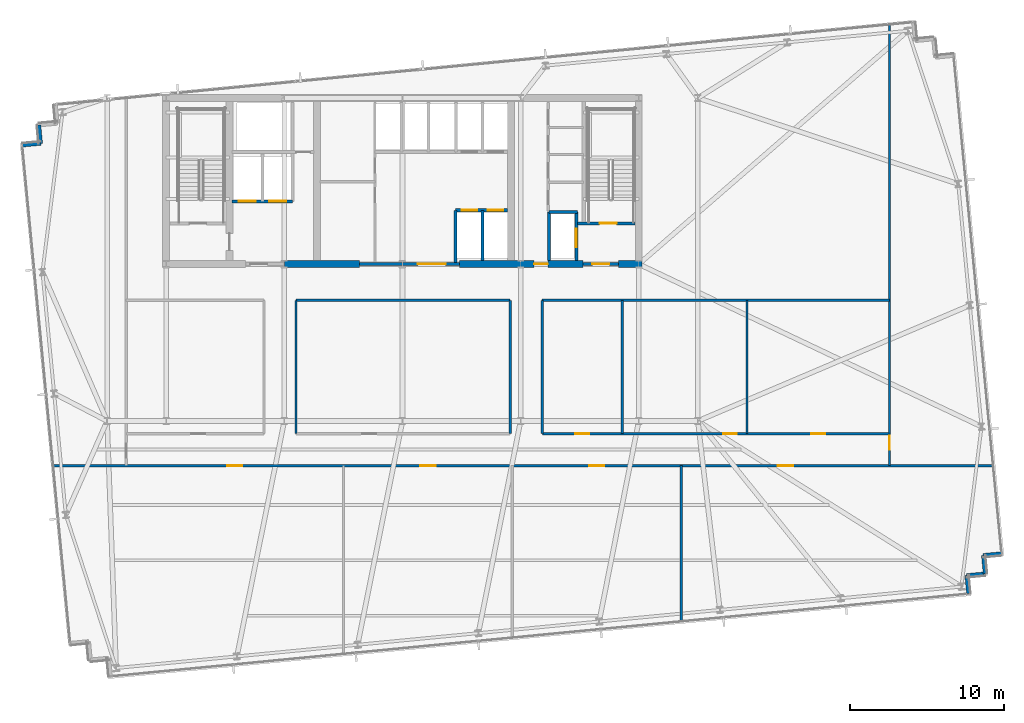
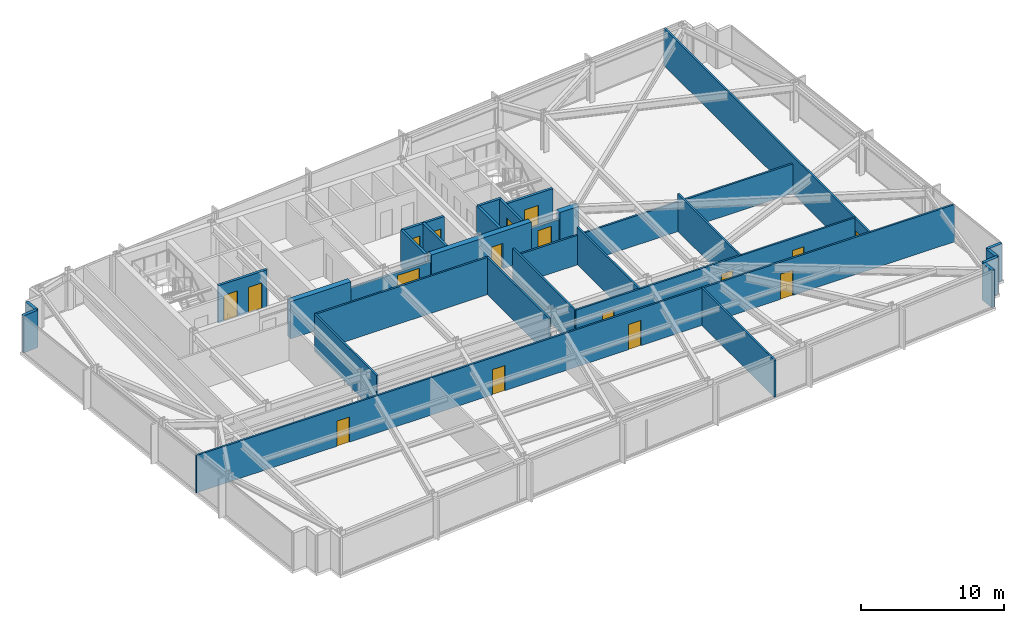
# One storey, part 25 of 32: 30 walls, 17 doors, 17 openings.
"""IFC4 building model written with IfcOpenShell, lengths in metres."""

from ifc_helpers import new_model, si_unit, direction, frame, frame_2d, origin, place, context, subcontext, project, spatial, rectangle, extrude, material, layer, layer_set, type_object, element, fill, save


model = new_model("IFC4")

# Units and contexts
model_context = context("Model", 3, precision=1e-05, world=origin(), true_north=direction((0.0, 1.0)))
body_context = subcontext(model_context, "Body", "Model", "MODEL_VIEW")
ifc_project = project(units=[si_unit("LENGTHUNIT", "METRE"), si_unit("AREAUNIT", "SQUARE_METRE"), si_unit("VOLUMEUNIT", "CUBIC_METRE"), si_unit("PLANEANGLEUNIT", "RADIAN"), si_unit("MASSUNIT", "GRAM", prefix="KILO")], contexts=[model_context])

# Site, building, storey
site_placement = place(None, origin())
site = spatial("IfcSite", under=ifc_project, at=site_placement, CompositionType="ELEMENT")
building_placement = place(site_placement, origin())
building = spatial("IfcBuilding", under=site, at=building_placement, Name="Yelkora Congress Tower", CompositionType="ELEMENT")
storey_placement = place(building_placement, frame((0.0, 0.0, 99.89990234375)))
storey = spatial("IfcBuildingStorey", under=building, at=storey_placement, Name="L26", CompositionType="ELEMENT", Elevation=99.89990234375)

# Wall
ifc_material_1 = material(Name="Concrete C60/75", Category="concrete")
ifc_layer_1 = layer(ifc_material_1, 0.449951171875)
ifc_layer_set_1 = layer_set([ifc_layer_1], Name="Concrete C60/75")
wall_type_1 = type_object("IfcWallType", Name="WALL-CORE-INT-450", PredefinedType="SHEAR", material=ifc_layer_set_1)
wall_1_placement = place(storey_placement, frame((30.719970703125, 35.39990234375, 0.0), z_axis=(0.0, 0.0, 1.0), x_axis=(1.0, 0.0, 0.0)))
element("IfcWall", 1, at=wall_1_placement, inside=storey, type_object=wall_type_1, Name="L26 Rear Core South-Center Shear Pier", PredefinedType="SHEAR", context=body_context, shape_type="SweptSolid", body=[
    extrude(rectangle(XDim=4.880126953125, YDim=0.449951171875, at=frame_2d((2.43994140625, 0.0))), origin(), (0.0, 0.0, 1.0), 3.18017578125),
])

# Wall, opening, door
wall_2_placement = place(storey_placement, frame((42.10009765625, 35.39990234375, 0.0), z_axis=(0.0, 0.0, 1.0), x_axis=(1.0, 0.0, 0.0)))
wall_2 = element("IfcWall", 2, at=wall_2_placement, inside=storey, type_object=wall_type_1, Name="L26 Rear Core South-East Shear Wall A", PredefinedType="SHEAR", context=body_context, shape_type="SweptSolid", body=[
    extrude(rectangle(XDim=8.0498046875, YDim=0.449951171875, at=frame_2d((4.02490234375, 0.0))), origin(), (0.0, 0.0, 1.0), 3.18017578125),
])
opening_1_placement = place(wall_2_placement, frame((4.85009765625, 0.0, 0.0)))
opening_1 = element("IfcOpeningElement", 3, at=opening_1_placement, cuts=wall_2, Name="Opening DR-090F6", PredefinedType="OPENING", context=body_context, shape_type="SweptSolid", body=[
    extrude(rectangle(XDim=0.89990234375, YDim=2.14990234375, at=frame_2d((0.449951171875, 1.074951171875))), frame((0.0, 0.23486328125, 0.0), z_axis=(0.0, -1.0, 0.0), x_axis=(1.0, 0.0, 0.0)), (0.0, 0.0, 1.0), 0.469970703125),
])
ifc_material_2 = material(Name="Painted steel riser fire door leaf", Category="steel")
door_type_1 = type_object("IfcDoorType", Name="DOOR-FD60-900", OperationType="NOTDEFINED", PredefinedType="DOOR", material=ifc_material_2)
door_1_placement = place(opening_1_placement, origin())
door_1 = element("IfcDoor", 4, at=door_1_placement, inside=storey, type_object=door_type_1, Name="L26 Core Washroom Lobby Door", OperationType="SINGLE_SWING_RIGHT", OverallHeight=2.14990234375, OverallWidth=0.89990234375, PredefinedType="DOOR", context=body_context, shape_type="SweptSolid", body=[
    extrude(rectangle(XDim=0.89990234375, YDim=2.14990234375, at=frame_2d((0.449951171875, 1.074951171875))), frame((0.0, 0.02490234375, 0.0), z_axis=(0.0, -1.0, 0.0), x_axis=(1.0, 0.0, 0.0)), (0.0, 0.0, 1.0), 0.050048828125),
])
fill(opening_1, door_1)

# Walls
wall_3_placement = place(storey_placement, frame((52.449951171875, 35.39990234375, 0.0), z_axis=(0.0, 0.0, 1.0), x_axis=(1.0, 0.0, 0.0)))
element("IfcWall", 5, at=wall_3_placement, inside=storey, type_object=wall_type_1, Name="L26 Rear Core South-East Shear Wall B", PredefinedType="SHEAR", context=body_context, shape_type="SweptSolid", body=[
    extrude(rectangle(XDim=1.53515625, YDim=0.449951171875, at=frame_2d((0.767578125, 0.0))), origin(), (0.0, 0.0, 1.0), 3.18017578125),
])
ifc_material_3 = material(Name="Concrete C40/50", Category="concrete")
ifc_layer_2 = layer(ifc_material_3, 0.239990234375)
ifc_layer_set_2 = layer_set([ifc_layer_2], Name="Concrete C40/50")
wall_type_2 = type_object("IfcWallType", Name="WALL-EXT-LIMESTONE-240", PredefinedType="SOLIDWALL", material=ifc_layer_set_2)
for number, where, z_axis, x_axis, name in (
    (6, (13.69091796875, 43.126708984375, 0.0), (0.0, 0.0, 1.0), (0.995398960025, 0.095817067274, 0.0), "L26 Serrated Corner Limestone Pier 6"),
    (7, (14.885498046875, 43.24169921875, 0.0), (0.0, 0.0, 1.0), (-0.095817067274, 0.995398960025, 0.0), "L26 Serrated Corner Limestone Pier 7"),
):
    element("IfcWall", number, at=place(storey_placement, frame(where, z_axis=z_axis, x_axis=x_axis)), inside=storey, type_object=wall_type_2, Name=name, PredefinedType="SOLIDWALL", context=body_context, shape_type="SweptSolid", body=[
        extrude(rectangle(XDim=1.2001953125, YDim=0.239990234375, at=frame_2d((0.60009765625, 0.0))), origin(), (0.0, 0.0, 1.0), 3.18017578125),
    ])
wall_4_placement = place(storey_placement, frame((77.34765625, 16.585693359375, 0.0), z_axis=(0.0, 0.0, 1.0), x_axis=(-0.995397091755, -0.095836473879, 0.0)))
element("IfcWall", 8, at=wall_4_placement, inside=storey, type_object=wall_type_2, Name="L26 Serrated Corner Limestone Pier 16", PredefinedType="SOLIDWALL", context=body_context, shape_type="SweptSolid", body=[
    extrude(rectangle(XDim=1.199951171875, YDim=0.239990234375, at=frame_2d((0.60009765625, 0.0))), origin(), (0.0, 0.0, 1.0), 3.18017578125),
])
for number, where, z_axis, x_axis, name in (
    (9, (76.1533203125, 16.470703125, 0.0), (0.0, 0.0, 1.0), (0.095817067274, -0.995398960025, 0.0), "L26 Serrated Corner Limestone Pier 17"),
    (10, (76.268310546875, 15.276123046875, 0.0), (0.0, 0.0, 1.0), (-0.995398960025, -0.095817067274, 0.0), "L26 Serrated Corner Limestone Pier 18"),
):
    element("IfcWall", number, at=place(storey_placement, frame(where, z_axis=z_axis, x_axis=x_axis)), inside=storey, type_object=wall_type_2, Name=name, PredefinedType="SOLIDWALL", context=body_context, shape_type="SweptSolid", body=[
        extrude(rectangle(XDim=1.2001953125, YDim=0.239990234375, at=frame_2d((0.60009765625, 0.0))), origin(), (0.0, 0.0, 1.0), 3.18017578125),
    ])
wall_5_placement = place(storey_placement, frame((75.07373046875, 15.1611328125, 0.0), z_axis=(0.0, 0.0, 1.0), x_axis=(0.095836473879, -0.995397091755, 0.0)))
element("IfcWall", 11, at=wall_5_placement, inside=storey, type_object=wall_type_2, Name="L26 Serrated Corner Limestone Pier 19", PredefinedType="SOLIDWALL", context=body_context, shape_type="SweptSolid", body=[
    extrude(rectangle(XDim=1.199951171875, YDim=0.239990234375, at=frame_2d((0.60009765625, 0.0))), origin(), (0.0, 0.0, 1.0), 3.18017578125),
])
ifc_material_4 = material(Name="Acoustic metal-stud gypsum partition", Category="gypsum")
ifc_layer_3 = layer(ifc_material_4, 0.14990234375)
ifc_layer_set_3 = layer_set([ifc_layer_3], Name="Acoustic metal-stud gypsum partition")
wall_type_3 = type_object("IfcWallType", Name="WALL-INT-150-NR", PredefinedType="PARTITIONING", material=ifc_layer_set_3)
wall_6_placement = place(storey_placement, frame((56.512939453125, 12.108154296875, 0.0), z_axis=(0.0, 0.0, 1.0), x_axis=(0.0, 1.0, 0.0)))
element("IfcWall", 12, at=wall_6_placement, inside=storey, type_object=wall_type_3, Name="L26 Partition Wall 30", PredefinedType="PARTITIONING", context=body_context, shape_type="SweptSolid", body=[
    extrude(rectangle(XDim=10.2119140625, YDim=0.14990234375, at=frame_2d((5.10595703125, 0.0))), origin(), (0.0, 0.0, 1.0), 3.18017578125),
])

# Wall, openings, doors
wall_7_placement = place(storey_placement, frame((15.635986328125, 22.300048828125, 0.0), z_axis=(0.0, 0.0, 1.0), x_axis=(1.0, 0.0, 0.0)))
wall_7 = element("IfcWall", 13, at=wall_7_placement, inside=storey, type_object=wall_type_3, Name="L26 South Spine Wall", PredefinedType="PARTITIONING", context=body_context, shape_type="SweptSolid", body=[
    extrude(rectangle(XDim=61.221923828125, YDim=0.14990234375, at=frame_2d((30.61083984375, 0.0))), origin(), (0.0, 0.0, 1.0), 3.18017578125),
])
opening_2_placement = place(wall_7_placement, frame((11.364990234375, 0.0, 0.0)))
opening_2 = element("IfcOpeningElement", 14, at=opening_2_placement, cuts=wall_7, Name="Opening DR-100N", PredefinedType="OPENING", context=body_context, shape_type="SweptSolid", body=[
    extrude(rectangle(XDim=1.0, YDim=2.14990234375, at=frame_2d((0.5, 1.074951171875))), frame((0.0, 0.0849609375, 0.0), z_axis=(0.0, -1.0, 0.0), x_axis=(1.0, 0.0, 0.0)), (0.0, 0.0, 1.0), 0.169921875),
])
opening_3_placement = place(wall_7_placement, frame((23.91650390625, 0.0, 0.0)))
opening_3 = element("IfcOpeningElement", 15, at=opening_3_placement, cuts=wall_7, Name="Opening DR-100N", PredefinedType="OPENING", context=body_context, shape_type="SweptSolid", body=[
    extrude(rectangle(XDim=1.0, YDim=2.14990234375, at=frame_2d((0.5, 1.074951171875))), frame((0.0, 0.0849609375, 0.0), z_axis=(0.0, -1.0, 0.0), x_axis=(1.0, 0.0, 0.0)), (0.0, 0.0, 1.0), 0.169921875),
])
opening_4_placement = place(wall_7_placement, frame((34.89013671875, 0.0, 0.0)))
opening_4 = element("IfcOpeningElement", 16, at=opening_4_placement, cuts=wall_7, Name="Opening DR-100N", PredefinedType="OPENING", context=body_context, shape_type="SweptSolid", body=[
    extrude(rectangle(XDim=1.0, YDim=2.14990234375, at=frame_2d((0.5, 1.074951171875))), frame((0.0, 0.0849609375, 0.0), z_axis=(0.0, -1.0, 0.0), x_axis=(1.0, 0.0, 0.0)), (0.0, 0.0, 1.0), 0.169921875),
])
opening_5_placement = place(wall_7_placement, frame((47.149658203125, 0.0, 0.0)))
opening_5 = element("IfcOpeningElement", 17, at=opening_5_placement, cuts=wall_7, Name="Opening DR-100N", PredefinedType="OPENING", context=body_context, shape_type="SweptSolid", body=[
    extrude(rectangle(XDim=1.0, YDim=2.14990234375, at=frame_2d((0.5, 1.074951171875))), frame((0.0, 0.0849609375, 0.0), z_axis=(0.0, -1.0, 0.0), x_axis=(1.0, 0.0, 0.0)), (0.0, 0.0, 1.0), 0.169921875),
])
ifc_material_5 = material(Name="Solid-core Anatolian oak veneer door", Category="wood")
door_type_2 = type_object("IfcDoorType", Name="DOOR-INT-1000", OperationType="NOTDEFINED", PredefinedType="DOOR", material=ifc_material_5)
door_2_placement = place(opening_2_placement, origin())
door_2 = element("IfcDoor", 18, at=door_2_placement, inside=storey, type_object=door_type_2, Name="L26 Meeting Suite Door", OperationType="SINGLE_SWING_RIGHT", OverallHeight=2.14990234375, OverallWidth=1.0, PredefinedType="DOOR", context=body_context, shape_type="SweptSolid", body=[
    extrude(rectangle(XDim=1.0, YDim=2.14990234375, at=frame_2d((0.5, 1.074951171875))), frame((0.0, 0.02490234375, 0.0), z_axis=(0.0, -1.0, 0.0), x_axis=(1.0, 0.0, 0.0)), (0.0, 0.0, 1.0), 0.050048828125),
])
fill(opening_2, door_2)
door_3_placement = place(opening_3_placement, origin())
door_3 = element("IfcDoor", 19, at=door_3_placement, inside=storey, type_object=door_type_2, Name="L26 Delegate Library Lounge Door", OperationType="SINGLE_SWING_LEFT", OverallHeight=2.14990234375, OverallWidth=1.0, PredefinedType="DOOR", context=body_context, shape_type="SweptSolid", body=[
    extrude(rectangle(XDim=1.0, YDim=2.14990234375, at=frame_2d((0.5, 1.074951171875))), frame((0.0, 0.02490234375, 0.0), z_axis=(0.0, -1.0, 0.0), x_axis=(1.0, 0.0, 0.0)), (0.0, 0.0, 1.0), 0.050048828125),
])
fill(opening_3, door_3)
door_4_placement = place(opening_4_placement, origin())
door_4 = element("IfcDoor", 20, at=door_4_placement, inside=storey, type_object=door_type_2, Name="L26 Pantry & Servery Door", OperationType="SINGLE_SWING_RIGHT", OverallHeight=2.14990234375, OverallWidth=1.0, PredefinedType="DOOR", context=body_context, shape_type="SweptSolid", body=[
    extrude(rectangle(XDim=1.0, YDim=2.14990234375, at=frame_2d((0.5, 1.074951171875))), frame((0.0, 0.02490234375, 0.0), z_axis=(0.0, -1.0, 0.0), x_axis=(1.0, 0.0, 0.0)), (0.0, 0.0, 1.0), 0.050048828125),
])
fill(opening_4, door_4)
door_5_placement = place(opening_5_placement, origin())
door_5 = element("IfcDoor", 21, at=door_5_placement, inside=storey, type_object=door_type_2, Name="L26 Open-Plan Office Door", OperationType="SINGLE_SWING_LEFT", OverallHeight=2.14990234375, OverallWidth=1.0, PredefinedType="DOOR", context=body_context, shape_type="SweptSolid", body=[
    extrude(rectangle(XDim=1.0, YDim=2.14990234375, at=frame_2d((0.5, 1.074951171875))), frame((0.0, 0.02490234375, 0.0), z_axis=(0.0, -1.0, 0.0), x_axis=(1.0, 0.0, 0.0)), (0.0, 0.0, 1.0), 0.050048828125),
])
fill(opening_5, door_5)

# Wall, opening, door
wall_8_placement = place(storey_placement, frame((70.05810546875, 22.300048828125, 0.0), z_axis=(0.0, 0.0, 1.0), x_axis=(0.0, 1.0, 0.0)))
wall_8 = element("IfcWall", 22, at=wall_8_placement, inside=storey, type_object=wall_type_3, Name="L26 Partition Wall 33", PredefinedType="PARTITIONING", context=body_context, shape_type="SweptSolid", body=[
    extrude(rectangle(XDim=28.7255859375, YDim=0.14990234375, at=frame_2d((14.36279296875, 0.0))), origin(), (0.0, 0.0, 1.0), 3.18017578125),
])
opening_6_placement = place(wall_8_placement, frame((1.030029296875, 0.0, 0.0)))
opening_6 = element("IfcOpeningElement", 23, at=opening_6_placement, cuts=wall_8, Name="Opening DR-090N", PredefinedType="OPENING", context=body_context, shape_type="SweptSolid", body=[
    extrude(rectangle(XDim=0.89990234375, YDim=2.14990234375, at=frame_2d((0.449951171875, 1.074951171875))), frame((0.0, 0.0849609375, 0.0), z_axis=(0.0, -1.0, 0.0), x_axis=(1.0, 0.0, 0.0)), (0.0, 0.0, 1.0), 0.169921875),
])
ifc_material_6 = material(Name="Moisture-resistant laminate door leaf", Category="wood")
door_type_3 = type_object("IfcDoorType", Name="DOOR-INT-900", OperationType="NOTDEFINED", PredefinedType="DOOR", material=ifc_material_6)
door_6_placement = place(opening_6_placement, origin())
door_6 = element("IfcDoor", 24, at=door_6_placement, inside=storey, type_object=door_type_3, Name="L26 E Wing Door", OperationType="SINGLE_SWING_LEFT", OverallHeight=2.14990234375, OverallWidth=0.89990234375, PredefinedType="DOOR", context=body_context, shape_type="SweptSolid", body=[
    extrude(rectangle(XDim=0.89990234375, YDim=2.14990234375, at=frame_2d((0.449951171875, 1.074951171875))), frame((0.0, 0.02490234375, 0.0), z_axis=(0.0, -1.0, 0.0), x_axis=(1.0, 0.0, 0.0)), (0.0, 0.0, 1.0), 0.050048828125),
])
fill(opening_6, door_6)

# Walls
for number, where, z_axis, x_axis, name in (
    (25, (31.47998046875, 24.3798828125, 0.0), (0.0, 0.0, 1.0), (0.0, 1.0, 0.0), "L26 Partition Wall 35"),
    (26, (45.39990234375, 24.3798828125, 0.0), (0.0, 0.0, 1.0), (0.0, 1.0, 0.0), "L26 Partition Wall 36"),
    (27, (47.47998046875, 24.3798828125, 0.0), (0.0, 0.0, 1.0), (0.0, 1.0, 0.0), "L26 Partition Wall 37"),
):
    element("IfcWall", number, at=place(storey_placement, frame(where, z_axis=z_axis, x_axis=x_axis)), inside=storey, type_object=wall_type_3, Name=name, PredefinedType="PARTITIONING", context=body_context, shape_type="SweptSolid", body=[
        extrude(rectangle(XDim=8.670166015625, YDim=0.14990234375, at=frame_2d((4.3349609375, 0.0))), origin(), (0.0, 0.0, 1.0), 3.18017578125),
    ])
wall_9_placement = place(storey_placement, frame((31.47998046875, 33.050048828125, 0.0), z_axis=(0.0, 0.0, 1.0), x_axis=(1.0, 0.0, 0.0)))
element("IfcWall", 28, at=wall_9_placement, inside=storey, type_object=wall_type_3, Name="L26 Partition Wall 39", PredefinedType="PARTITIONING", context=body_context, shape_type="SweptSolid", body=[
    extrude(rectangle(XDim=13.919921875, YDim=0.14990234375, at=frame_2d((6.9599609375, 0.0))), origin(), (0.0, 0.0, 1.0), 3.18017578125),
])
wall_10_placement = place(storey_placement, frame((47.47998046875, 33.050048828125, 0.0), z_axis=(0.0, 0.0, 1.0), x_axis=(1.0, 0.0, 0.0)))
element("IfcWall", 29, at=wall_10_placement, inside=storey, type_object=wall_type_3, Name="L26 Partition Wall 40", PredefinedType="PARTITIONING", context=body_context, shape_type="SweptSolid", body=[
    extrude(rectangle(XDim=22.578125, YDim=0.14990234375, at=frame_2d((11.2890625, 0.0))), origin(), (0.0, 0.0, 1.0), 2.525146484375),
])
for number, where, z_axis, x_axis, name in (
    (30, (52.676025390625, 24.3798828125, 0.0), (0.0, 0.0, 1.0), (0.0, 1.0, 0.0), "L26 Partition Wall 43"),
    (31, (60.79296875, 24.3798828125, 0.0), (0.0, 0.0, 1.0), (0.0, 1.0, 0.0), "L26 Partition Wall 44"),
):
    element("IfcWall", number, at=place(storey_placement, frame(where, z_axis=z_axis, x_axis=x_axis)), inside=storey, type_object=wall_type_3, Name=name, PredefinedType="PARTITIONING", context=body_context, shape_type="SweptSolid", body=[
        extrude(rectangle(XDim=8.670166015625, YDim=0.14990234375, at=frame_2d((4.3349609375, 0.0))), origin(), (0.0, 0.0, 1.0), 3.18017578125),
    ])

# Wall, openings, doors
wall_11_placement = place(storey_placement, frame((47.489990234375, 24.3798828125, 0.0), z_axis=(0.0, 0.0, 1.0), x_axis=(1.0, 0.0, 0.0)))
wall_11 = element("IfcWall", 32, at=wall_11_placement, inside=storey, type_object=wall_type_3, Name="L26 Partition Wall 45", PredefinedType="PARTITIONING", context=body_context, shape_type="SweptSolid", body=[
    extrude(rectangle(XDim=22.548095703125, YDim=0.14990234375, at=frame_2d((11.27392578125, 0.0))), origin(), (0.0, 0.0, 1.0), 3.18017578125),
])
opening_7_placement = place(wall_11_placement, frame((2.14306640625, 0.0, 0.0)))
opening_7 = element("IfcOpeningElement", 33, at=opening_7_placement, cuts=wall_11, Name="Opening DR-090N", PredefinedType="OPENING", context=body_context, shape_type="SweptSolid", body=[
    extrude(rectangle(XDim=0.89990234375, YDim=2.14990234375, at=frame_2d((0.449951171875, 1.074951171875))), frame((0.0, 0.0849609375, 0.0), z_axis=(0.0, -1.0, 0.0), x_axis=(1.0, 0.0, 0.0)), (0.0, 0.0, 1.0), 0.169921875),
])
opening_8_placement = place(wall_11_placement, frame((11.7529296875, 0.0, 0.0)))
opening_8 = element("IfcOpeningElement", 34, at=opening_8_placement, cuts=wall_11, Name="Opening DR-090N", PredefinedType="OPENING", context=body_context, shape_type="SweptSolid", body=[
    extrude(rectangle(XDim=0.89990234375, YDim=2.14990234375, at=frame_2d((0.449951171875, 1.074951171875))), frame((0.0, 0.0849609375, 0.0), z_axis=(0.0, -1.0, 0.0), x_axis=(1.0, 0.0, 0.0)), (0.0, 0.0, 1.0), 0.169921875),
])
opening_9_placement = place(wall_11_placement, frame((17.4755859375, 0.0, 0.0)))
opening_9 = element("IfcOpeningElement", 35, at=opening_9_placement, cuts=wall_11, Name="Opening DR-090N", PredefinedType="OPENING", context=body_context, shape_type="SweptSolid", body=[
    extrude(rectangle(XDim=0.89990234375, YDim=2.14990234375, at=frame_2d((0.449951171875, 1.074951171875))), frame((0.0, 0.0849609375, 0.0), z_axis=(0.0, -1.0, 0.0), x_axis=(1.0, 0.0, 0.0)), (0.0, 0.0, 1.0), 0.169921875),
])
door_7_placement = place(opening_7_placement, origin())
door_7 = element("IfcDoor", 36, at=door_7_placement, inside=storey, type_object=door_type_3, Name="L26 First-Aid Treatment Room Door", OperationType="SINGLE_SWING_RIGHT", OverallHeight=2.14990234375, OverallWidth=0.89990234375, PredefinedType="DOOR", context=body_context, shape_type="SweptSolid", body=[
    extrude(rectangle(XDim=0.89990234375, YDim=2.14990234375, at=frame_2d((0.449951171875, 1.074951171875))), frame((0.0, 0.02490234375, 0.0), z_axis=(0.0, -1.0, 0.0), x_axis=(1.0, 0.0, 0.0)), (0.0, 0.0, 1.0), 0.050048828125),
])
fill(opening_7, door_7)
door_8_placement = place(opening_8_placement, origin())
door_8 = element("IfcDoor", 37, at=door_8_placement, inside=storey, type_object=door_type_3, Name="L26 Wellness Consult Room Door", OperationType="SINGLE_SWING_LEFT", OverallHeight=2.14990234375, OverallWidth=0.89990234375, PredefinedType="DOOR", context=body_context, shape_type="SweptSolid", body=[
    extrude(rectangle(XDim=0.89990234375, YDim=2.14990234375, at=frame_2d((0.449951171875, 1.074951171875))), frame((0.0, 0.02490234375, 0.0), z_axis=(0.0, -1.0, 0.0), x_axis=(1.0, 0.0, 0.0)), (0.0, 0.0, 1.0), 0.050048828125),
])
fill(opening_8, door_8)
door_9_placement = place(opening_9_placement, origin())
door_9 = element("IfcDoor", 38, at=door_9_placement, inside=storey, type_object=door_type_3, Name="L26 Diplomatic Day Lounge Door", OperationType="SINGLE_SWING_RIGHT", OverallHeight=2.14990234375, OverallWidth=0.89990234375, PredefinedType="DOOR", context=body_context, shape_type="SweptSolid", body=[
    extrude(rectangle(XDim=0.89990234375, YDim=2.14990234375, at=frame_2d((0.449951171875, 1.074951171875))), frame((0.0, 0.02490234375, 0.0), z_axis=(0.0, -1.0, 0.0), x_axis=(1.0, 0.0, 0.0)), (0.0, 0.0, 1.0), 0.050048828125),
])
fill(opening_9, door_9)

ifc_material_7 = material(Name="Autoclaved aerated concrete blockwork", Category="masonry")
ifc_layer_4 = layer(ifc_material_7, 0.199951171875)
ifc_layer_set_4 = layer_set([ifc_layer_4], Name="Autoclaved aerated concrete blockwork")
wall_type_4 = type_object("IfcWallType", Name="WALL-INT-200-R120", PredefinedType="PARTITIONING", material=ifc_layer_set_4)
wall_12_placement = place(storey_placement, frame((27.320068359375, 39.47998046875, 0.0), z_axis=(0.0, 0.0, 1.0), x_axis=(1.0, 0.0, 0.0)))
wall_12 = element("IfcWall", 39, at=wall_12_placement, inside=storey, type_object=wall_type_4, Name="L26 Firefighting Lift Front Wall", PredefinedType="PARTITIONING", context=body_context, shape_type="SweptSolid", body=[
    extrude(rectangle(XDim=3.93994140625, YDim=0.199951171875, at=frame_2d((1.969970703125, 0.0))), origin(), (0.0, 0.0, 1.0), 3.18017578125),
])
opening_10_placement = place(wall_12_placement, frame((0.449951171875, 0.0, 0.0)))
opening_10 = element("IfcOpeningElement", 40, at=opening_10_placement, cuts=wall_12, Name="Opening LD-FF11", PredefinedType="OPENING", context=body_context, shape_type="SweptSolid", body=[
    extrude(rectangle(XDim=1.10009765625, YDim=2.199951171875, at=frame_2d((0.550048828125, 1.10009765625))), frame((0.0, 0.10986328125, 0.0), z_axis=(0.0, -1.0, 0.0), x_axis=(1.0, 0.0, 0.0)), (0.0, 0.0, 1.0), 0.219970703125),
])
opening_11_placement = place(wall_12_placement, frame((2.409912109375, 0.0, 0.0)))
opening_11 = element("IfcOpeningElement", 41, at=opening_11_placement, cuts=wall_12, Name="Opening LD-FF11", PredefinedType="OPENING", context=body_context, shape_type="SweptSolid", body=[
    extrude(rectangle(XDim=1.10009765625, YDim=2.199951171875, at=frame_2d((0.550048828125, 1.10009765625))), frame((0.0, 0.10986328125, 0.0), z_axis=(0.0, -1.0, 0.0), x_axis=(1.0, 0.0, 0.0)), (0.0, 0.0, 1.0), 0.219970703125),
])
ifc_material_8 = material(Name="Brushed stainless steel 316L landing door", Category="steel")
door_type_4 = type_object("IfcDoorType", Name="DOOR-LIFT-FF-1100", OperationType="DOUBLE_DOOR_SLIDING", PredefinedType="DOOR", material=ifc_material_8)
door_10_placement = place(opening_10_placement, origin())
door_10 = element("IfcDoor", 42, at=door_10_placement, inside=storey, type_object=door_type_4, Name="Lift Landing Door LF-FF1 L26", OperationType="DOUBLE_DOOR_SLIDING", OverallHeight=2.199951171875, OverallWidth=1.10009765625, PredefinedType="DOOR", context=body_context, shape_type="SweptSolid", body=[
    extrude(rectangle(XDim=1.10009765625, YDim=2.199951171875, at=frame_2d((0.550048828125, 1.10009765625))), frame((0.0, 0.02490234375, 0.0), z_axis=(0.0, -1.0, 0.0), x_axis=(1.0, 0.0, 0.0)), (0.0, 0.0, 1.0), 0.050048828125),
])
fill(opening_10, door_10)
door_11_placement = place(opening_11_placement, origin())
door_11 = element("IfcDoor", 43, at=door_11_placement, inside=storey, type_object=door_type_4, Name="Lift Landing Door LF-FF2 L26", OperationType="DOUBLE_DOOR_SLIDING", OverallHeight=2.199951171875, OverallWidth=1.10009765625, PredefinedType="DOOR", context=body_context, shape_type="SweptSolid", body=[
    extrude(rectangle(XDim=1.10009765625, YDim=2.199951171875, at=frame_2d((0.550048828125, 1.10009765625))), frame((0.0, 0.02490234375, 0.0), z_axis=(0.0, -1.0, 0.0), x_axis=(1.0, 0.0, 0.0)), (0.0, 0.0, 1.0), 0.050048828125),
])
fill(opening_11, door_11)

# Wall, opening, door
wall_13_placement = place(storey_placement, frame((35.60009765625, 35.39990234375, 0.0), z_axis=(0.0, 0.0, 1.0), x_axis=(1.0, 0.0, 0.0)))
wall_13 = element("IfcWall", 44, at=wall_13_placement, inside=storey, type_object=wall_type_4, Name="L26 Main Lift Lobby South Portal Wall", PredefinedType="PARTITIONING", context=body_context, shape_type="SweptSolid", body=[
    extrude(rectangle(XDim=6.5, YDim=0.199951171875, at=frame_2d((3.25, 0.0))), origin(), (0.0, 0.0, 1.0), 2.525146484375),
])
opening_12_placement = place(wall_13_placement, frame((3.800048828125, 0.0, 0.0)))
opening_12 = element("IfcOpeningElement", 45, at=opening_12_placement, cuts=wall_13, Name="Opening DR-180D", PredefinedType="OPENING", context=body_context, shape_type="SweptSolid", body=[
    extrude(rectangle(XDim=1.800048828125, YDim=2.300048828125, at=frame_2d((0.89990234375, 1.14990234375))), frame((0.0, 0.10986328125, 0.0), z_axis=(0.0, -1.0, 0.0), x_axis=(1.0, 0.0, 0.0)), (0.0, 0.0, 1.0), 0.219970703125),
])
ifc_material_9 = material(Name="Acoustic double congress hall doors", Category="wood")
door_type_5 = type_object("IfcDoorType", Name="DOOR-DBL-1800", OperationType="DOUBLE_DOOR_SINGLE_SWING", PredefinedType="DOOR", material=ifc_material_9)
door_12_placement = place(opening_12_placement, origin())
door_12 = element("IfcDoor", 46, at=door_12_placement, inside=storey, type_object=door_type_5, Name="L26 Main Lift Lobby Portal Door", OperationType="DOUBLE_DOOR_SINGLE_SWING", OverallHeight=2.300048828125, OverallWidth=1.800048828125, PredefinedType="DOOR", context=body_context, shape_type="SweptSolid", body=[
    extrude(rectangle(XDim=1.800048828125, YDim=2.300048828125, at=frame_2d((0.89990234375, 1.14990234375))), frame((0.0, 0.02490234375, 0.0), z_axis=(0.0, -1.0, 0.0), x_axis=(1.0, 0.0, 0.0)), (0.0, 0.0, 1.0), 0.050048828125),
])
fill(opening_12, door_12)

# Wall, openings, doors
wall_14_placement = place(storey_placement, frame((41.85009765625, 38.89990234375, 0.0), z_axis=(0.0, 0.0, 1.0), x_axis=(1.0, 0.0, 0.0)))
wall_14 = element("IfcWall", 47, at=wall_14_placement, inside=storey, type_object=wall_type_4, Name="L26 Partition Wall 13", PredefinedType="PARTITIONING", context=body_context, shape_type="SweptSolid", body=[
    extrude(rectangle(XDim=3.369873046875, YDim=0.199951171875, at=frame_2d((1.68505859375, 0.0))), origin(), (0.0, 0.0, 1.0), 3.18017578125),
])
opening_13_placement = place(wall_14_placement, frame((0.39990234375, 0.0, 0.0)))
opening_13 = element("IfcOpeningElement", 48, at=opening_13_placement, cuts=wall_14, Name="Opening LD-PS10", PredefinedType="OPENING", context=body_context, shape_type="SweptSolid", body=[
    extrude(rectangle(XDim=1.0, YDim=2.199951171875, at=frame_2d((0.5, 1.10009765625))), frame((0.0, 0.10986328125, 0.0), z_axis=(0.0, -1.0, 0.0), x_axis=(1.0, 0.0, 0.0)), (0.0, 0.0, 1.0), 0.219970703125),
])
opening_14_placement = place(wall_14_placement, frame((2.10009765625, 0.0, 0.0)))
opening_14 = element("IfcOpeningElement", 49, at=opening_14_placement, cuts=wall_14, Name="Opening LD-PS10", PredefinedType="OPENING", context=body_context, shape_type="SweptSolid", body=[
    extrude(rectangle(XDim=1.0, YDim=2.199951171875, at=frame_2d((0.5, 1.10009765625))), frame((0.0, 0.10986328125, 0.0), z_axis=(0.0, -1.0, 0.0), x_axis=(1.0, 0.0, 0.0)), (0.0, 0.0, 1.0), 0.219970703125),
])
ifc_material_10 = material(Name="Champagne stainless steel landing door", Category="steel")
door_type_6 = type_object("IfcDoorType", Name="DOOR-LIFT-PAS-1000", OperationType="DOUBLE_DOOR_SLIDING", PredefinedType="DOOR", material=ifc_material_10)
door_13_placement = place(opening_13_placement, origin())
door_13 = element("IfcDoor", 50, at=door_13_placement, inside=storey, type_object=door_type_6, Name="Lift Landing Door LF-P5 L26", OperationType="DOUBLE_DOOR_SLIDING", OverallHeight=2.199951171875, OverallWidth=1.0, PredefinedType="DOOR", context=body_context, shape_type="SweptSolid", body=[
    extrude(rectangle(XDim=1.0, YDim=2.199951171875, at=frame_2d((0.5, 1.10009765625))), frame((0.0, 0.02490234375, 0.0), z_axis=(0.0, -1.0, 0.0), x_axis=(1.0, 0.0, 0.0)), (0.0, 0.0, 1.0), 0.050048828125),
])
fill(opening_13, door_13)
door_14_placement = place(opening_14_placement, origin())
door_14 = element("IfcDoor", 51, at=door_14_placement, inside=storey, type_object=door_type_6, Name="Lift Landing Door LF-P6 L26", OperationType="DOUBLE_DOOR_SLIDING", OverallHeight=2.199951171875, OverallWidth=1.0, PredefinedType="DOOR", context=body_context, shape_type="SweptSolid", body=[
    extrude(rectangle(XDim=1.0, YDim=2.199951171875, at=frame_2d((0.5, 1.10009765625))), frame((0.0, 0.02490234375, 0.0), z_axis=(0.0, -1.0, 0.0), x_axis=(1.0, 0.0, 0.0)), (0.0, 0.0, 1.0), 0.050048828125),
])
fill(opening_14, door_14)

# Walls
wall_15_placement = place(storey_placement, frame((43.60009765625, 35.64990234375, 0.0), z_axis=(0.0, 0.0, 1.0), x_axis=(0.0, 1.0, 0.0)))
element("IfcWall", 52, at=wall_15_placement, inside=storey, type_object=wall_type_4, Name="L26 Partition Wall 15", PredefinedType="PARTITIONING", context=body_context, shape_type="SweptSolid", body=[
    extrude(rectangle(XDim=3.25, YDim=0.199951171875, at=frame_2d((1.625, 0.0))), origin(), (0.0, 0.0, 1.0), 3.18017578125),
])
wall_16_placement = place(storey_placement, frame((41.85009765625, 35.5, 0.0), z_axis=(0.0, 0.0, 1.0), x_axis=(0.0, 1.0, 0.0)))
element("IfcWall", 53, at=wall_16_placement, inside=storey, type_object=wall_type_4, Name="L26 Partition Wall 17", PredefinedType="PARTITIONING", context=body_context, shape_type="SweptSolid", body=[
    extrude(rectangle(XDim=3.39990234375, YDim=0.199951171875, at=frame_2d((1.699951171875, 0.0))), origin(), (0.0, 0.0, 1.0), 3.18017578125),
])

# Wall, opening, door
wall_17_placement = place(storey_placement, frame((49.780029296875, 38.050048828125, 0.0), z_axis=(0.0, 0.0, 1.0), x_axis=(1.0, 0.0, 0.0)))
wall_17 = element("IfcWall", 54, at=wall_17_placement, inside=storey, type_object=wall_type_4, Name="L26 Stair ST-02 Enclosure Wall", PredefinedType="PARTITIONING", context=body_context, shape_type="SweptSolid", body=[
    extrude(rectangle(XDim=3.719970703125, YDim=0.199951171875, at=frame_2d((1.85986328125, 0.0))), origin(), (0.0, 0.0, 1.0), 3.18017578125),
])
opening_15_placement = place(wall_17_placement, frame((1.436279296875, 0.0, 0.0)))
opening_15 = element("IfcOpeningElement", 55, at=opening_15_placement, cuts=wall_17, Name="Opening DR-110F9", PredefinedType="OPENING", context=body_context, shape_type="SweptSolid", body=[
    extrude(rectangle(XDim=1.10009765625, YDim=2.14990234375, at=frame_2d((0.550048828125, 1.074951171875))), frame((0.0, 0.10986328125, 0.0), z_axis=(0.0, -1.0, 0.0), x_axis=(1.0, 0.0, 0.0)), (0.0, 0.0, 1.0), 0.219970703125),
])
ifc_material_11 = material(Name="Galvanised steel fire door leaf", Category="steel")
door_type_7 = type_object("IfcDoorType", Name="DOOR-FD90-1100", OperationType="NOTDEFINED", PredefinedType="DOOR", material=ifc_material_11)
door_15_placement = place(opening_15_placement, origin())
door_15 = element("IfcDoor", 56, at=door_15_placement, inside=storey, type_object=door_type_7, Name="L26 Stair ST-02 Entry Door", OperationType="SINGLE_SWING_LEFT", OverallHeight=2.14990234375, OverallWidth=1.10009765625, PredefinedType="DOOR", context=body_context, shape_type="SweptSolid", body=[
    extrude(rectangle(XDim=1.10009765625, YDim=2.14990234375, at=frame_2d((0.550048828125, 1.074951171875))), frame((0.0, 0.02490234375, 0.0), z_axis=(0.0, -1.0, 0.0), x_axis=(1.0, 0.0, 0.0)), (0.0, 0.0, 1.0), 0.050048828125),
])
fill(opening_15, door_15)

wall_18_placement = place(storey_placement, frame((50.14990234375, 35.39990234375, 0.0), z_axis=(0.0, 0.0, 1.0), x_axis=(1.0, 0.0, 0.0)))
wall_18 = element("IfcWall", 57, at=wall_18_placement, inside=storey, type_object=wall_type_4, Name="L26 Partition Wall 20", PredefinedType="PARTITIONING", context=body_context, shape_type="SweptSolid", body=[
    extrude(rectangle(XDim=2.300048828125, YDim=0.199951171875, at=frame_2d((1.14990234375, 0.0))), origin(), (0.0, 0.0, 1.0), 2.525146484375),
])
opening_16_placement = place(wall_18_placement, frame((0.60009765625, 0.0, 0.0)))
opening_16 = element("IfcOpeningElement", 58, at=opening_16_placement, cuts=wall_18, Name="Opening DR-110F9", PredefinedType="OPENING", context=body_context, shape_type="SweptSolid", body=[
    extrude(rectangle(XDim=1.10009765625, YDim=2.14990234375, at=frame_2d((0.550048828125, 1.074951171875))), frame((0.0, 0.10986328125, 0.0), z_axis=(0.0, -1.0, 0.0), x_axis=(1.0, 0.0, 0.0)), (0.0, 0.0, 1.0), 0.219970703125),
])
door_16_placement = place(opening_16_placement, origin())
door_16 = element("IfcDoor", 59, at=door_16_placement, inside=storey, type_object=door_type_7, Name="L26 East Stair Lobby Door", OperationType="SINGLE_SWING_RIGHT", OverallHeight=2.14990234375, OverallWidth=1.10009765625, PredefinedType="DOOR", context=body_context, shape_type="SweptSolid", body=[
    extrude(rectangle(XDim=1.10009765625, YDim=2.14990234375, at=frame_2d((0.550048828125, 1.074951171875))), frame((0.0, 0.02490234375, 0.0), z_axis=(0.0, -1.0, 0.0), x_axis=(1.0, 0.0, 0.0)), (0.0, 0.0, 1.0), 0.050048828125),
])
fill(opening_16, door_16)

wall_19_placement = place(storey_placement, frame((49.699951171875, 35.64990234375, 0.0), z_axis=(0.0, 0.0, 1.0), x_axis=(0.0, 1.0, 0.0)))
wall_19 = element("IfcWall", 60, at=wall_19_placement, inside=storey, type_object=wall_type_4, Name="L26 Partition Wall 21", PredefinedType="PARTITIONING", context=body_context, shape_type="SweptSolid", body=[
    extrude(rectangle(XDim=3.150146484375, YDim=0.199951171875, at=frame_2d((1.5751953125, 0.0))), origin(), (0.0, 0.0, 1.0), 3.18017578125),
])
opening_17_placement = place(wall_19_placement, frame((0.85009765625, 0.0, 0.0)))
opening_17 = element("IfcOpeningElement", 61, at=opening_17_placement, cuts=wall_19, Name="Opening LD-SV12", PredefinedType="OPENING", context=body_context, shape_type="SweptSolid", body=[
    extrude(rectangle(XDim=1.199951171875, YDim=2.199951171875, at=frame_2d((0.60009765625, 1.10009765625))), frame((0.0, 0.10986328125, 0.0), z_axis=(0.0, -1.0, 0.0), x_axis=(1.0, 0.0, 0.0)), (0.0, 0.0, 1.0), 0.219970703125),
])
ifc_material_12 = material(Name="Heavy-duty stainless steel landing door", Category="steel")
door_type_8 = type_object("IfcDoorType", Name="DOOR-LIFT-SRV-1200", OperationType="DOUBLE_DOOR_SLIDING", PredefinedType="DOOR", material=ifc_material_12)
door_17_placement = place(opening_17_placement, origin())
door_17 = element("IfcDoor", 62, at=door_17_placement, inside=storey, type_object=door_type_8, Name="Service Lift Landing Door LF-SV1 L26", OperationType="DOUBLE_DOOR_SLIDING", OverallHeight=2.199951171875, OverallWidth=1.199951171875, PredefinedType="DOOR", context=body_context, shape_type="SweptSolid", body=[
    extrude(rectangle(XDim=1.199951171875, YDim=2.199951171875, at=frame_2d((0.60009765625, 1.10009765625))), frame((0.0, 0.02490234375, 0.0), z_axis=(0.0, -1.0, 0.0), x_axis=(1.0, 0.0, 0.0)), (0.0, 0.0, 1.0), 0.050048828125),
])
fill(opening_17, door_17)

# Walls
wall_20_placement = place(storey_placement, frame((47.919921875, 35.64990234375, 0.0), z_axis=(0.0, 0.0, 1.0), x_axis=(0.0, 1.0, 0.0)))
element("IfcWall", 63, at=wall_20_placement, inside=storey, type_object=wall_type_4, Name="L26 Partition Wall 22", PredefinedType="PARTITIONING", context=body_context, shape_type="SweptSolid", body=[
    extrude(rectangle(XDim=3.150146484375, YDim=0.199951171875, at=frame_2d((1.5751953125, 0.0))), origin(), (0.0, 0.0, 1.0), 3.18017578125),
])
wall_21_placement = place(storey_placement, frame((47.919921875, 38.800048828125, 0.0), z_axis=(0.0, 0.0, 1.0), x_axis=(1.0, 0.0, 0.0)))
element("IfcWall", 64, at=wall_21_placement, inside=storey, type_object=wall_type_4, Name="L26 Partition Wall 23", PredefinedType="PARTITIONING", context=body_context, shape_type="SweptSolid", body=[
    extrude(rectangle(XDim=1.860107421875, YDim=0.199951171875, at=frame_2d((0.93017578125, 0.0))), origin(), (0.0, 0.0, 1.0), 3.18017578125),
])

save(model, "model.ifc")
